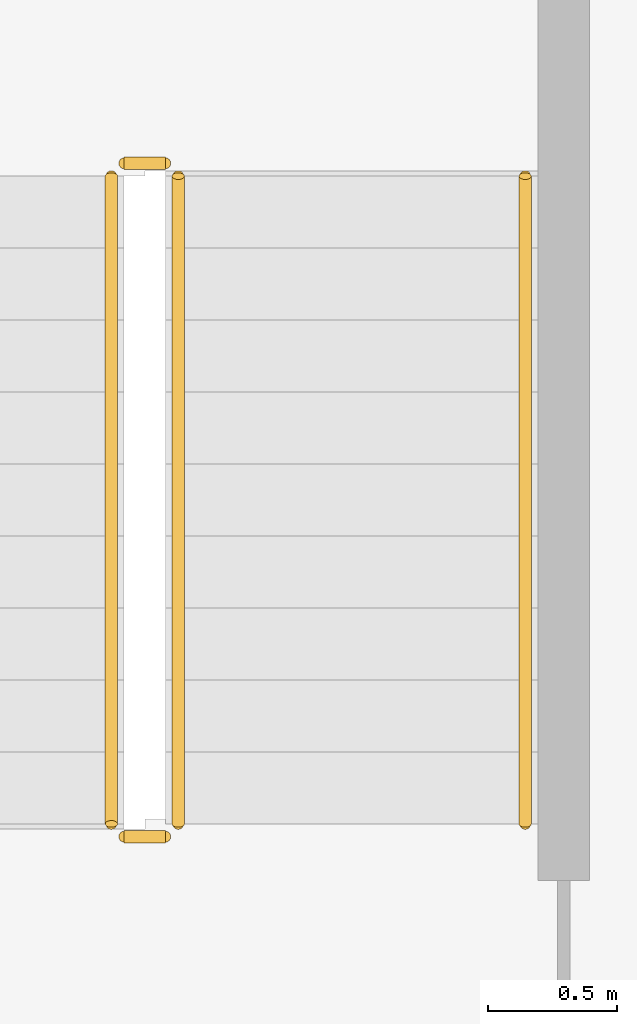
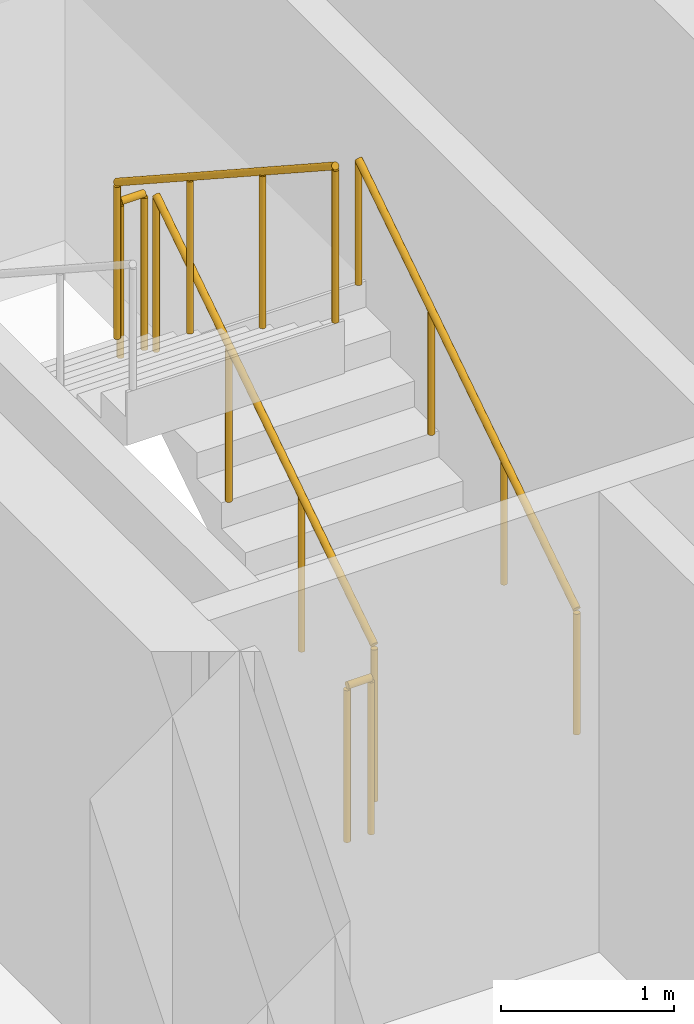
# One storey, part 12 of 14: 5 railings.
"""IFC4 building model written with IfcOpenShell, lengths in metres."""

import ifcopenshell
import ifcopenshell.guid

model = None  # the IFC model being written
_history = None  # IfcOwnerHistory: only IFC2X3 demands one
_inside = {}  # id of a spatial element -> (the spatial element, [elements in it])
_under = {}  # id of a project, library or spatial element -> (it, [spatial elements below it])
_declared = {}  # id of a project -> (the project, [libraries it declares])
_typed = {}  # id of a type object -> (the type object, [elements of that type])
_made_of = {}  # id of a material, layer set ... -> (it, [elements and type objects made of it])


def new_model(schema):
    """Start an empty IFC model of exactly this schema.

    Asked for "IFC4X3", IfcOpenShell would pick the latest addendum, in which some entities
    have other attributes; the version numbers below select the first issue.
    IFC2X3 requires an IfcOwnerHistory on every rooted entity: one is made here for all.
    """
    global model, _history
    if schema == "IFC4X3":
        model = ifcopenshell.file(schema_version=(4, 3, 0, 0))
    else:
        model = ifcopenshell.file(schema=schema)
    _inside.clear()
    _under.clear()
    _declared.clear()
    _typed.clear()
    _made_of.clear()
    _history = None
    if model.schema == "IFC2X3":
        org = make("IfcOrganization", Name="unknown")
        user = make(
            "IfcPersonAndOrganization",
            ThePerson=make("IfcPerson", FamilyName="unknown"),
            TheOrganization=org,
        )
        app = make(
            "IfcApplication",
            ApplicationDeveloper=org,
            Version="unknown",
            ApplicationFullName="unknown",
            ApplicationIdentifier="unknown",
        )
        _history = make(
            "IfcOwnerHistory",
            OwningUser=user,
            OwningApplication=app,
            ChangeAction="ADDED",
            CreationDate=0,
        )
    return model


def make(cls, **values):
    """One entity of the class cls with the attributes given. An attribute that is None is left unset."""
    return model.create_entity(
        cls, **{name: value for name, value in values.items() if value is not None}
    )


def rooted(cls, **values):
    """An entity with a GlobalId (a new one), such as an element, a storey or a relation."""
    return make(cls, GlobalId=ifcopenshell.guid.new(), OwnerHistory=_history, **values)


def si_unit(unit_type, name, prefix=None):
    """IfcSIUnit, for example si_unit("LENGTHUNIT", "METRE", prefix="MILLI")."""
    return make("IfcSIUnit", UnitType=unit_type, Prefix=prefix, Name=name)


def assignment(units):
    """IfcUnitAssignment: the units of a project."""
    return None if units is None else make("IfcUnitAssignment", Units=units)


def point(xyz):
    """IfcCartesianPoint."""
    return None if xyz is None else make("IfcCartesianPoint", Coordinates=xyz)


def direction(xyz):
    """IfcDirection."""
    return None if xyz is None else make("IfcDirection", DirectionRatios=xyz)


def frame(location, z_axis=None, x_axis=None):
    """IfcAxis2Placement3D, a coordinate frame: its origin and axes. An axis left out is left unset."""
    return make(
        "IfcAxis2Placement3D",
        Location=point(location),
        Axis=direction(z_axis),
        RefDirection=direction(x_axis),
    )


def frame_2d(location, x_axis=None):
    """IfcAxis2Placement2D, a coordinate frame in the plane: its origin and x axis."""
    return make(
        "IfcAxis2Placement2D", Location=point(location), RefDirection=direction(x_axis)
    )


def origin():
    """The frame at (0, 0, 0) with its axes left unset."""
    return frame((0.0, 0.0, 0.0))


def origin_2d():
    """The frame at (0, 0) in the plane with its x axis left unset."""
    return frame_2d((0.0, 0.0))


def place(relative_to, where):
    """IfcLocalPlacement: puts the frame where relative to a parent placement (None: the world)."""
    return make(
        "IfcLocalPlacement", PlacementRelTo=relative_to, RelativePlacement=where
    )


def context(
    kind, dimensions, precision=None, world=None, true_north=None, identifier=None
):
    """IfcGeometricRepresentationContext, for example the 3D "Model" context."""
    return make(
        "IfcGeometricRepresentationContext",
        ContextIdentifier=identifier,
        ContextType=kind,
        CoordinateSpaceDimension=dimensions,
        Precision=precision,
        WorldCoordinateSystem=world,
        TrueNorth=true_north,
    )


def subcontext(parent, identifier, kind, view, scale=None):
    """IfcGeometricRepresentationSubContext, for example "Body" below "Model"."""
    return make(
        "IfcGeometricRepresentationSubContext",
        ContextIdentifier=identifier,
        ContextType=kind,
        ParentContext=parent,
        TargetScale=scale,
        TargetView=view,
    )


def project(units=None, contexts=None):
    """IfcProject with its units and contexts."""
    return rooted(
        "IfcProject",
        Name="project",
        RepresentationContexts=contexts,
        UnitsInContext=assignment(units),
    )


def spatial(cls, under=None, at=None, **own):
    """A site, building, storey or space (cls), placed at a placement, below another one or the project."""
    s = rooted(cls, ObjectPlacement=at, **own)
    if under is not None:
        _under.setdefault(under.id(), (under, []))[1].append(s)
    return s


def profile(cls, at=None, kind="AREA", **sizes):
    """A parametric profile (cls). Its sizes go by their IFC names, for example OverallWidth=200.0."""
    return make(cls, ProfileType=kind, Position=at, **sizes)


def circle(**sizes):
    """IfcCircleProfileDef."""
    return profile("IfcCircleProfileDef", **sizes)


def extrude(swept, where, along, depth):
    """IfcExtrudedAreaSolid: the profile swept, set in the frame where, extruded along a direction by depth."""
    return make(
        "IfcExtrudedAreaSolid",
        SweptArea=swept,
        Position=where,
        ExtrudedDirection=direction(along),
        Depth=depth,
    )


def shape(context_of_items, identifier, shape_type, items):
    """IfcShapeRepresentation: the items that make up one representation, for example the "Body"."""
    return make(
        "IfcShapeRepresentation",
        ContextOfItems=context_of_items,
        RepresentationIdentifier=identifier,
        RepresentationType=shape_type,
        Items=items,
    )


def material(Name=None, Category=None):
    """IfcMaterial."""
    return make("IfcMaterial", Name=Name, Category=Category)


def made_of(thing, what):
    """Note that an element or type object is made of a material, layer set ...; save() writes the relation."""
    if what is not None:
        _made_of.setdefault(what.id(), (what, []))[1].append(thing)
    return thing


def type_object(cls, material=None, **own):
    """A type object (cls), such as IfcWallType, which elements share."""
    return made_of(rooted(cls, **own), material)


def element(
    cls,
    number,
    at=None,
    inside=None,
    cuts=None,
    type_object=None,
    material=None,
    context=None,
    identifier="Body",
    shape_type=None,
    held_by="IfcProductDefinitionShape",
    body=None,
    shapes=None,
    **own,
):
    """One element of the class cls, such as IfcWall. Its Tag is "e" and its number.

    at: its placement. inside: the storey or other place that contains it. cuts: it is an
    opening in that element (IfcRelVoidsElement). A single representation is given by context,
    identifier, shape_type and body (its items); several are given by shapes. held_by: the class
    of the entity that holds the representations. save() writes the other relations.
    """
    e = rooted(cls, Tag="e%d" % number, ObjectPlacement=at, **own)
    if body is not None:
        shapes = [shape(context, identifier, shape_type, body)]
    if shapes is not None:
        e.Representation = make(held_by, Representations=shapes)
    if inside is not None:
        _inside.setdefault(inside.id(), (inside, []))[1].append(e)
    if cuts is not None:
        rooted(
            "IfcRelVoidsElement", RelatingBuildingElement=cuts, RelatedOpeningElement=e
        )
    if type_object is not None:
        _typed.setdefault(type_object.id(), (type_object, []))[1].append(e)
    return made_of(e, material)


def aggregate(whole, parts):
    """IfcRelAggregates: a whole, such as a stair, and the parts it consists of."""
    return rooted("IfcRelAggregates", RelatingObject=whole, RelatedObjects=parts)


def save(model, path):
    """Write the relations noted so far, then the file.

    IfcRelAggregates (storeys below a building ...), IfcRelContainedInSpatialStructure (elements
    in a storey), IfcRelDefinesByType, IfcRelAssociatesMaterial and IfcRelDeclares: one each for
    every whole, place, type object, material and project.
    """
    for whole, parts in _under.values():
        aggregate(whole, parts)
    for where, things in _inside.values():
        rooted(
            "IfcRelContainedInSpatialStructure",
            RelatedElements=things,
            RelatingStructure=where,
        )
    for kind, things in _typed.values():
        rooted("IfcRelDefinesByType", RelatedObjects=things, RelatingType=kind)
    for what, things in _made_of.values():
        rooted("IfcRelAssociatesMaterial", RelatedObjects=things, RelatingMaterial=what)
    for by, libraries in _declared.values():
        rooted("IfcRelDeclares", RelatingContext=by, RelatedDefinitions=libraries)
    model.write(path)


model = new_model("IFC4")

# Units and contexts
model_context = context("Model", 3, precision=1e-05, world=origin(), true_north=direction((0.0, 1.0)))
body_context = subcontext(model_context, "Body", "Model", "MODEL_VIEW")
ifc_project = project(units=[si_unit("LENGTHUNIT", "METRE"), si_unit("AREAUNIT", "SQUARE_METRE"), si_unit("VOLUMEUNIT", "CUBIC_METRE"), si_unit("PLANEANGLEUNIT", "RADIAN"), si_unit("MASSUNIT", "GRAM", prefix="KILO")], contexts=[model_context])

# Site, building, storey
site_placement = place(None, origin())
site = spatial("IfcSite", under=ifc_project, at=site_placement, CompositionType="ELEMENT")
building_placement = place(site_placement, origin())
building = spatial("IfcBuilding", under=site, at=building_placement, Name="Nuvemarco Arch Tower", CompositionType="ELEMENT")
storey_placement = place(building_placement, frame((0.0, 0.0, 89.64990234375)))
storey = spatial("IfcBuildingStorey", under=building, at=storey_placement, Name="L23", CompositionType="ELEMENT", Elevation=89.64990234375)

# Railings
ifc_material_1 = material(Name="Brushed stainless steel handrail", Category="steel")
railing_type_1 = type_object("IfcRailingType", Name="RL-HANDRAIL-900", PredefinedType="HANDRAIL", material=ifc_material_1)
railing_1_placement = place(storey_placement, frame((-13.590087890625, 2.64990234375, 0.1826171875)))
element("IfcRailing", 1, at=railing_1_placement, inside=storey, type_object=railing_type_1, Name="L23 ST-1 stair handrail 1", PredefinedType="HANDRAIL", context=body_context, shape_type="SweptSolid", body=[
    extrude(circle(Radius=0.02392578125, at=origin_2d()), frame((0.0, 0.0, 0.8759765625), z_axis=(0.0, 0.837749427056, 0.546054848405), x_axis=(-1.0, 0.0, 0.0)), (0.0, 0.0, 1.0), 3.008056640625),
    extrude(circle(Radius=0.02099609375, at=origin_2d()), origin(), (0.0, 0.0, 1.0), 0.851806640625),
    extrude(circle(Radius=0.02099609375, at=origin_2d()), frame((0.0, 0.840087890625, 0.547607421875)), (0.0, 0.0, 1.0), 0.851806640625),
    extrude(circle(Radius=0.02099609375, at=origin_2d()), frame((0.0, 1.679931640625, 1.094970703125)), (0.0, 0.0, 1.0), 0.851806640625),
    extrude(circle(Radius=0.02099609375, at=origin_2d()), frame((0.0, 2.52001953125, 1.642578125)), (0.0, 0.0, 1.0), 0.851806640625),
])
ifc_material_2 = material(Name="Painted balustrade steel S355", Category="steel")
railing_type_2 = type_object("IfcRailingType", Name="RL-STAIR-GUARD", PredefinedType="GUARDRAIL", material=ifc_material_2)
railing_2_placement = place(storey_placement, frame((-14.93994140625, 2.64990234375, 0.1826171875)))
element("IfcRailing", 2, at=railing_2_placement, inside=storey, type_object=railing_type_2, Name="L23 ST-1 stair guard 1", PredefinedType="GUARDRAIL", context=body_context, shape_type="SweptSolid", body=[
    extrude(circle(Radius=0.02392578125, at=origin_2d()), frame((0.0, 0.0, 1.09619140625), z_axis=(0.0, 0.837749427056, 0.546054848405), x_axis=(-1.0, 0.0, 0.0)), (0.0, 0.0, 1.0), 3.008056640625),
    extrude(circle(Radius=0.02099609375, at=origin_2d()), origin(), (0.0, 0.0, 1.0), 1.072021484375),
    extrude(circle(Radius=0.02099609375, at=origin_2d()), frame((0.0, 0.840087890625, 0.547607421875)), (0.0, 0.0, 1.0), 1.072021484375),
    extrude(circle(Radius=0.02099609375, at=origin_2d()), frame((0.0, 1.679931640625, 1.094970703125)), (0.0, 0.0, 1.0), 1.072021484375),
    extrude(circle(Radius=0.02099609375, at=origin_2d()), frame((0.0, 2.52001953125, 1.642578125)), (0.0, 0.0, 1.0), 1.072021484375),
])
railing_3_placement = place(storey_placement, frame((-14.989990234375, 5.219970703125, 1.8251953125)))
element("IfcRailing", 3, at=railing_3_placement, inside=storey, type_object=railing_type_2, Name="L23 ST-1 stair guard 2", PredefinedType="GUARDRAIL", context=body_context, shape_type="SweptSolid", body=[
    extrude(circle(Radius=0.02392578125, at=origin_2d()), frame((0.0, 0.0, 1.09619140625), z_axis=(-1.0, 0.0, 0.0), x_axis=(0.0, -1.0, 0.0)), (0.0, 0.0, 1.0), 0.159912109375),
    extrude(circle(Radius=0.02099609375, at=origin_2d()), origin(), (0.0, 0.0, 1.0), 1.072021484375),
    extrude(circle(Radius=0.02099609375, at=origin_2d()), frame((-0.159912109375, 0.0, 0.0)), (0.0, 0.0, 1.0), 1.072021484375),
])
railing_4_placement = place(storey_placement, frame((-15.199951171875, 5.169921875, 2.007568359375)))
element("IfcRailing", 4, at=railing_4_placement, inside=storey, type_object=railing_type_2, Name="L23 ST-1 stair guard 3", PredefinedType="GUARDRAIL", context=body_context, shape_type="SweptSolid", body=[
    extrude(circle(Radius=0.02392578125, at=origin_2d()), frame((0.0, 0.0, 1.09619140625), z_axis=(0.0, -0.837749427056, 0.546054848405), x_axis=(1.0, 0.0, 0.0)), (0.0, 0.0, 1.0), 3.008056640625),
    extrude(circle(Radius=0.02099609375, at=origin_2d()), origin(), (0.0, 0.0, 1.0), 1.072021484375),
    extrude(circle(Radius=0.02099609375, at=origin_2d()), frame((0.0, -0.840087890625, 0.547607421875)), (0.0, 0.0, 1.0), 1.072021484375),
    extrude(circle(Radius=0.02099609375, at=origin_2d()), frame((0.0, -1.679931640625, 1.094970703125)), (0.0, 0.0, 1.0), 1.072021484375),
    extrude(circle(Radius=0.02099609375, at=origin_2d()), frame((0.0, -2.52001953125, 1.642578125)), (0.0, 0.0, 1.0), 1.072021484375),
])
railing_5_placement = place(storey_placement, frame((-14.989990234375, 2.60009765625, 0.0)))
element("IfcRailing", 5, at=railing_5_placement, inside=storey, type_object=railing_type_2, Name="L23 ST-1 stair guard 4", PredefinedType="GUARDRAIL", context=body_context, shape_type="SweptSolid", body=[
    extrude(circle(Radius=0.02392578125, at=origin_2d()), frame((0.0, 0.0, 1.09619140625), z_axis=(-1.0, 0.0, 0.0), x_axis=(0.0, -1.0, 0.0)), (0.0, 0.0, 1.0), 0.159912109375),
    extrude(circle(Radius=0.02099609375, at=origin_2d()), origin(), (0.0, 0.0, 1.0), 1.072021484375),
    extrude(circle(Radius=0.02099609375, at=origin_2d()), frame((-0.159912109375, 0.0, 0.0)), (0.0, 0.0, 1.0), 1.072021484375),
])

save(model, "model.ifc")
